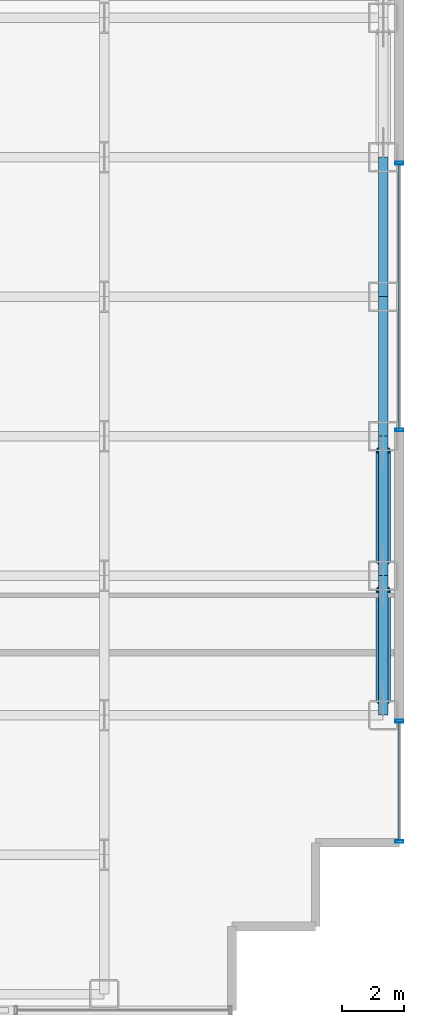
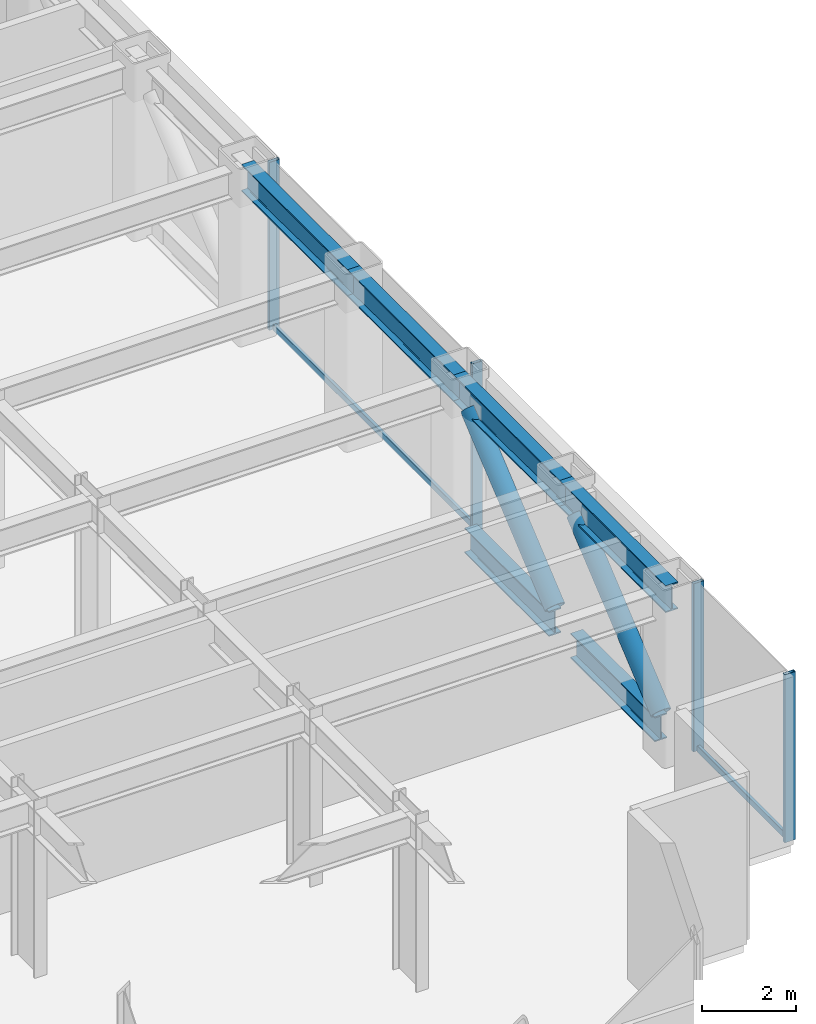
# One storey, part 19 of 30: 10 members, 4 beams, 2 elements without a shape of their own.
"""IFC4 building model written with IfcOpenShell, lengths in metres."""

from ifc_helpers import new_model, si_unit, direction, frame, origin, origin_2d, place, context, subcontext, project, spatial, hollow_rectangle, hollow_circle, i_section, extrude, source, transform, mapped, material, layer, layer_set, material_profile, profile_set, type_object, element, aggregate, save


model = new_model("IFC4")

# Units and contexts
model_context = context("Model", 3, precision=1e-05, world=origin(), true_north=direction((0.0, 1.0)))
body_context = subcontext(model_context, "Body", "Model", "MODEL_VIEW")
ifc_project = project(units=[si_unit("LENGTHUNIT", "METRE"), si_unit("AREAUNIT", "SQUARE_METRE"), si_unit("VOLUMEUNIT", "CUBIC_METRE"), si_unit("PLANEANGLEUNIT", "RADIAN"), si_unit("MASSUNIT", "GRAM", prefix="KILO")], contexts=[model_context])

# Site, building, storey
site_placement = place(None, origin())
site = spatial("IfcSite", under=ifc_project, at=site_placement, CompositionType="ELEMENT")
building_placement = place(site_placement, origin())
building = spatial("IfcBuilding", under=site, at=building_placement, Name="Nefas-Gora Pilgrimage Tower", CompositionType="ELEMENT")
storey_placement = place(building_placement, frame((0.0, 0.0, 86.199951171875)))
storey = spatial("IfcBuildingStorey", under=building, at=storey_placement, Name="L20", CompositionType="ELEMENT", Elevation=86.199951171875)

# Beams
ifc_material_1 = material(Name="Steel S355", Category="steel")
ifc_material_profile_1 = material_profile(ifc_material_1, i_section(OverallWidth=0.300048828125, OverallDepth=0.699951171875, WebThickness=0.01708984375, FlangeThickness=0.031982421875, FilletRadius=0.027099609375, at=origin_2d()), Name="HEB 700")
ifc_profile_set_1 = profile_set([ifc_material_profile_1], Name="Steel S355")
beam_type = type_object("IfcBeamType", Name="BM-SPN-HEB600", PredefinedType="SPANDREL", material=ifc_profile_set_1)
shared_shape_1 = source(origin(), body_context, "Body", "SweptSolid", [
    extrude(i_section(OverallWidth=0.300048828125, OverallDepth=0.699951171875, WebThickness=0.01708984375, FlangeThickness=0.031982421875, FilletRadius=0.027099609375, at=origin_2d()), origin(), (0.0, 0.0, 1.0), 4.5),
])
for number, where, z_axis, x_axis, name in (
    (1, (33.75, -13.5, 4.0), (0.0, 1.0, 0.0), (-1.0, 0.0, 0.0), "L20 SP-01 beam"),
    (2, (33.75, -9.0, 4.0), (0.0, 1.0, 0.0), (-1.0, 0.0, 0.0), "L20 SP-01 beam"),
    (3, (33.75, -4.5, 4.0), (0.0, 1.0, 0.0), (-1.0, 0.0, 0.0), "L20 SP-01 beam"),
    (4, (33.75, 0.0, 4.0), (0.0, 1.0, 0.0), (-1.0, 0.0, 0.0), "L20 SP-01 beam"),
):
    element("IfcBeam", number, at=place(storey_placement, frame(where, z_axis=z_axis, x_axis=x_axis)), inside=storey, type_object=beam_type, Name=name, PredefinedType="SPANDREL", context=body_context, shape_type="MappedRepresentation", body=[
        mapped(shared_shape_1, transform((0.0, 0.0, 0.0), x_axis=(1.0, 0.0, 0.0), y_axis=(0.0, 1.0, 0.0), z_axis=(0.0, 0.0, 1.0), scale=1.0)),
    ])

# Members
ifc_material_2 = material(Name="Steel S460", Category="steel")
ifc_material_profile_2 = material_profile(ifc_material_2, hollow_circle(Radius=0.228515625, WallThickness=0.028076171875, at=origin_2d()), Name="CHS 457x28")
ifc_profile_set_2 = profile_set([ifc_material_profile_2], Name="Steel S460")
member_type_1 = type_object("IfcMemberType", Name="MEM-BELT-457", PredefinedType="BRACE", material=ifc_profile_set_2)
shared_shape_2 = source(origin(), body_context, "Body", "SweptSolid", [
    extrude(hollow_circle(Radius=0.228515625, WallThickness=0.028076171875, at=origin_2d()), origin(), (0.0, 0.0, 1.0), 4.652587890625),
])
for number, where, z_axis, x_axis, name in (
    (5, (33.75, -13.037109375, 0.73583984375), (0.0, 0.768221279597, 0.640184399664), (-1.0, 0.0, 0.0), "L20 Perimeter Belt-Truss Diagonal 5"),
    (6, (33.75, -8.537109375, 0.73583984375), (0.0, 0.768221279597, 0.640184399664), (-1.0, 0.0, 0.0), "L20 Perimeter Belt-Truss Diagonal 6"),
):
    element("IfcMember", number, at=place(storey_placement, frame(where, z_axis=z_axis, x_axis=x_axis)), inside=storey, type_object=member_type_1, Name=name, PredefinedType="BRACE", context=body_context, shape_type="MappedRepresentation", body=[
        mapped(shared_shape_2, transform((0.0, 0.0, 0.0), x_axis=(1.0, 0.0, 0.0), y_axis=(0.0, 1.0, 0.0), z_axis=(0.0, 0.0, 1.0), scale=1.0)),
    ])
ifc_material_profile_3 = material_profile(ifc_material_2, i_section(OverallWidth=0.300048828125, OverallDepth=0.64990234375, WebThickness=0.01611328125, FlangeThickness=0.031005859375, FilletRadius=0.027099609375, at=origin_2d()), Name="HEB 650")
ifc_profile_set_3 = profile_set([ifc_material_profile_3], Name="Steel S460")
member_type_2 = type_object("IfcMemberType", Name="MEM-BELT-CHORD", PredefinedType="CHORD", material=ifc_profile_set_3)
shared_shape_3 = source(origin(), body_context, "Body", "SweptSolid", [
    extrude(i_section(OverallWidth=0.300048828125, OverallDepth=0.64990234375, WebThickness=0.01611328125, FlangeThickness=0.031005859375, FilletRadius=0.027099609375, at=origin_2d()), origin(), (0.0, 0.0, 1.0), 3.57421875),
])
for number, where, z_axis, x_axis, name in (
    (7, (33.75, -13.037109375, 0.35009765625), (0.0, 1.0, 0.0), (-1.0, 0.0, 0.0), "L20 Perimeter Belt-Truss Bottom Chord 5"),
    (8, (33.75, -8.537109375, 0.35009765625), (0.0, 1.0, 0.0), (-1.0, 0.0, 0.0), "L20 Perimeter Belt-Truss Bottom Chord 6"),
):
    element("IfcMember", number, at=place(storey_placement, frame(where, z_axis=z_axis, x_axis=x_axis)), inside=storey, type_object=member_type_2, Name=name, PredefinedType="CHORD", context=body_context, shape_type="MappedRepresentation", body=[
        mapped(shared_shape_3, transform((0.0, 0.0, 0.0), x_axis=(1.0, 0.0, 0.0), y_axis=(0.0, 1.0, 0.0), z_axis=(0.0, 0.0, 1.0), scale=1.0)),
    ])

# Curtain wall, member
ifc_material_3 = material(Name="Dark ceramic-fritted solar-control aluminium-glass curtain wall", Category="aluminium")
ifc_layer = layer(ifc_material_3, 0.219970703125)
ifc_layer_set = layer_set([ifc_layer], Name="Dark ceramic-fritted solar-control aluminium-glass curtain wall")
curtain_wall_type = type_object("IfcCurtainWallType", Name="CW-SYS-2", PredefinedType="NOTDEFINED", material=ifc_layer_set)
curtain_wall_1_placement = place(storey_placement, origin())
curtain_wall_1 = element("IfcCurtainWall", 9, at=curtain_wall_1_placement, inside=storey, type_object=curtain_wall_type, Name="L20 Unitised Curtain Wall CW2", PredefinedType="NOTDEFINED")
ifc_material_4 = material(Name="Anodised architectural aluminium", Category="aluminium")
ifc_material_profile_4 = material_profile(ifc_material_4, hollow_rectangle(XDim=0.080078125, YDim=0.159912109375, WallThickness=0.00439453125, InnerFilletRadius=0.00439453125, OuterFilletRadius=0.009033203125, at=origin_2d()), Name="ALU TRANSOM 80x160")
ifc_profile_set_4 = profile_set([ifc_material_profile_4], Name="Anodised architectural aluminium")
member_type_3 = type_object("IfcMemberType", Name="CWM-TRN-2", PredefinedType="USERDEFINED", material=ifc_profile_set_4)
shared_shape_4 = source(origin(), body_context, "Body", "SweptSolid", [
    extrude(hollow_rectangle(XDim=0.080078125, YDim=0.159912109375, WallThickness=0.00439453125, InnerFilletRadius=0.00439453125, OuterFilletRadius=0.009033203125, at=origin_2d()), origin(), (0.0, 0.0, 1.0), 8.52001953125),
])
member_1_placement = place(storey_placement, frame((34.27001953125, -4.260009765625, 0.050048828125), z_axis=(0.0, 1.0, 0.0), x_axis=(-1.0, 0.0, 0.0)))
member_1 = element("IfcMember", 10, at=member_1_placement, type_object=member_type_3, Name="CW2 Spandrel Transom", ObjectType="TRANSOM", PredefinedType="USERDEFINED", context=body_context, shape_type="MappedRepresentation", body=[
    mapped(shared_shape_4, transform((0.0, 0.0, 0.0), x_axis=(1.0, 0.0, 0.0), y_axis=(0.0, 1.0, 0.0), z_axis=(0.0, 0.0, 1.0), scale=1.0)),
])

# Curtain wall, members
curtain_wall_2_placement = place(storey_placement, origin())
curtain_wall_2 = element("IfcCurtainWall", 11, at=curtain_wall_2_placement, inside=storey, type_object=curtain_wall_type, Name="L20 Unitised Curtain Wall CW2", PredefinedType="NOTDEFINED")
ifc_material_profile_5 = material_profile(ifc_material_4, hollow_rectangle(XDim=0.090087890625, YDim=0.260009765625, WallThickness=0.006103515625, InnerFilletRadius=0.006103515625, OuterFilletRadius=0.011962890625, at=origin_2d()), Name="ALU MULLION 90x260")
ifc_profile_set_5 = profile_set([ifc_material_profile_5], Name="Anodised architectural aluminium")
member_type_4 = type_object("IfcMemberType", Name="CWM-MUL-2", PredefinedType="MULLION", material=ifc_profile_set_5)
shared_shape_5 = source(origin(), body_context, "Body", "SweptSolid", [
    extrude(hollow_rectangle(XDim=0.090087890625, YDim=0.260009765625, WallThickness=0.006103515625, InnerFilletRadius=0.006103515625, OuterFilletRadius=0.011962890625, at=origin_2d()), origin(), (0.0, 0.0, 1.0), 4.35009765625),
])
member_2_placement = place(storey_placement, frame((34.27001953125, -17.574951171875, 0.0), z_axis=(0.0, 0.0, 1.0), x_axis=(0.0, 1.0, 0.0)))
member_2 = element("IfcMember", 12, at=member_2_placement, type_object=member_type_4, Name="CW2 Mullion 1", PredefinedType="MULLION", context=body_context, shape_type="MappedRepresentation", body=[
    mapped(shared_shape_5, transform((0.0, 0.0, 0.0), x_axis=(1.0, 0.0, 0.0), y_axis=(0.0, 1.0, 0.0), z_axis=(0.0, 0.0, 1.0), scale=1.0)),
])
member_3_placement = place(storey_placement, frame((34.27001953125, -13.695068359375, 0.0), z_axis=(0.0, 0.0, 1.0), x_axis=(0.0, 1.0, 0.0)))
member_3 = element("IfcMember", 13, at=member_3_placement, type_object=member_type_4, Name="CW2 Mullion 2", PredefinedType="MULLION", context=body_context, shape_type="MappedRepresentation", body=[
    mapped(shared_shape_5, transform((0.0, 0.0, 0.0), x_axis=(1.0, 0.0, 0.0), y_axis=(0.0, 1.0, 0.0), z_axis=(0.0, 0.0, 1.0), scale=1.0)),
])

# Member
member_4_placement = place(storey_placement, frame((34.27001953125, -4.304931640625, 0.0), z_axis=(0.0, 0.0, 1.0), x_axis=(0.0, 1.0, 0.0)))
member_4 = element("IfcMember", 14, at=member_4_placement, type_object=member_type_4, Name="CW2 Mullion 1", PredefinedType="MULLION", context=body_context, shape_type="MappedRepresentation", body=[
    mapped(shared_shape_5, transform((0.0, 0.0, 0.0), x_axis=(1.0, 0.0, 0.0), y_axis=(0.0, 1.0, 0.0), z_axis=(0.0, 0.0, 1.0), scale=1.0)),
])

member_5_placement = place(storey_placement, frame((34.27001953125, 4.304931640625, 0.0), z_axis=(0.0, 0.0, 1.0), x_axis=(0.0, 1.0, 0.0)))
member_5 = element("IfcMember", 15, at=member_5_placement, type_object=member_type_4, Name="CW2 Mullion 2", PredefinedType="MULLION", context=body_context, shape_type="MappedRepresentation", body=[
    mapped(shared_shape_5, transform((0.0, 0.0, 0.0), x_axis=(1.0, 0.0, 0.0), y_axis=(0.0, 1.0, 0.0), z_axis=(0.0, 0.0, 1.0), scale=1.0)),
])

aggregate(curtain_wall_1, [member_4, member_5, member_1])

shared_shape_6 = source(origin(), body_context, "Body", "SweptSolid", [
    extrude(hollow_rectangle(XDim=0.080078125, YDim=0.159912109375, WallThickness=0.00439453125, InnerFilletRadius=0.00439453125, OuterFilletRadius=0.009033203125, at=origin_2d()), origin(), (0.0, 0.0, 1.0), 3.7900390625),
])
member_6_placement = place(storey_placement, frame((34.27001953125, -17.530029296875, 0.050048828125), z_axis=(0.0, 1.0, 0.0), x_axis=(-1.0, 0.0, 0.0)))
member_6 = element("IfcMember", 16, at=member_6_placement, type_object=member_type_3, Name="CW2 Spandrel Transom", ObjectType="TRANSOM", PredefinedType="USERDEFINED", context=body_context, shape_type="MappedRepresentation", body=[
    mapped(shared_shape_6, transform((0.0, 0.0, 0.0), x_axis=(1.0, 0.0, 0.0), y_axis=(0.0, 1.0, 0.0), z_axis=(0.0, 0.0, 1.0), scale=1.0)),
])

aggregate(curtain_wall_2, [member_2, member_3, member_6])

save(model, "model.ifc")
